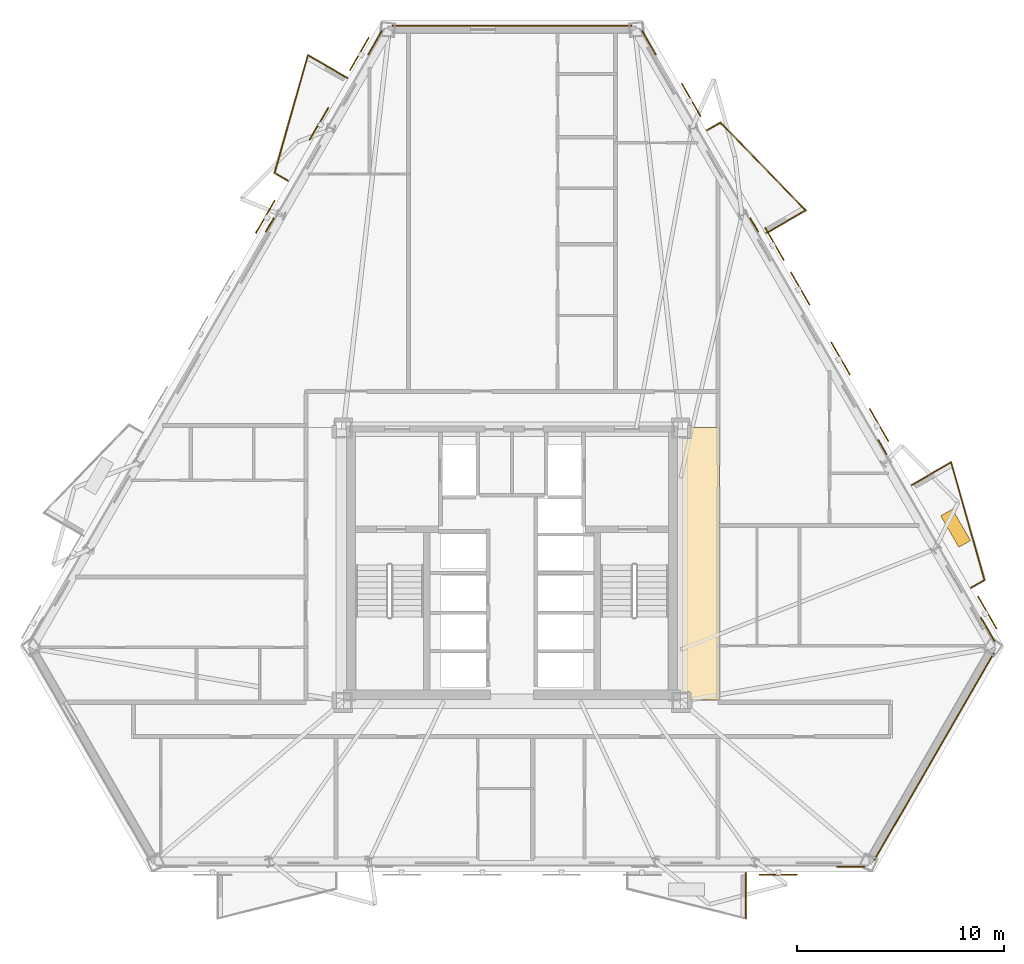
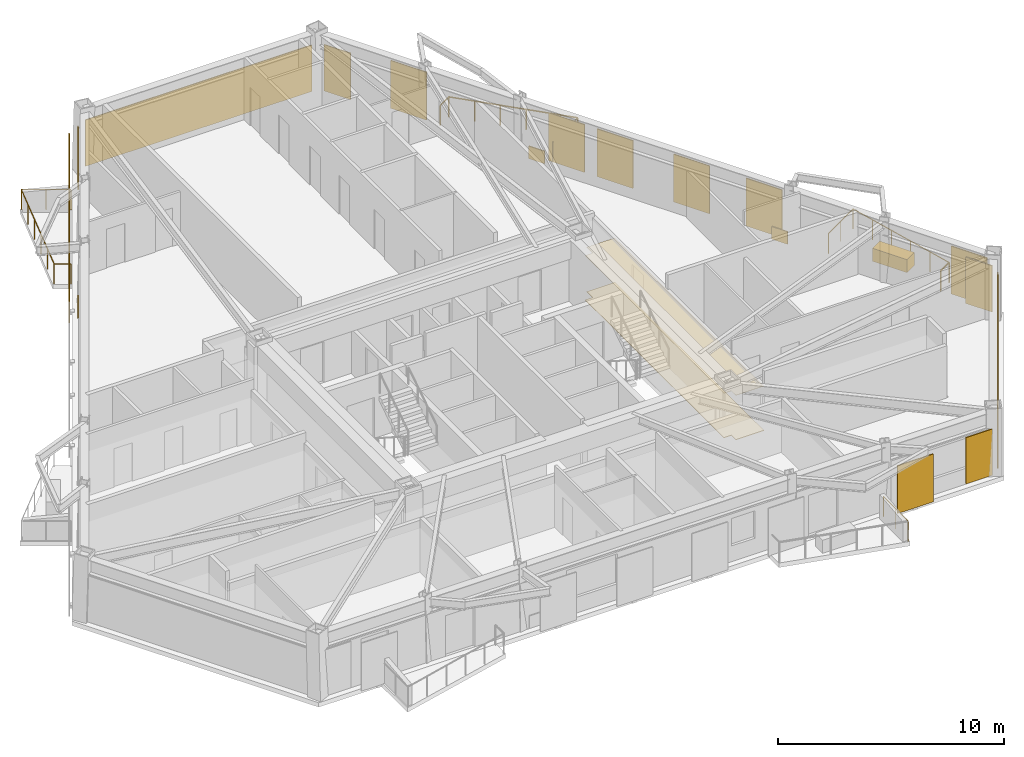
# One storey, part 10 of 10: 12 coverings, 10 railings, 10 shading devices.
"""IFC4 building model written with IfcOpenShell, lengths in metres."""

from ifc_helpers import new_model, si_unit, direction, frame, origin, origin_2d, place, context, subcontext, project, spatial, polyline, rectangle, circle, outline, extrude, material, layer, layer_set, type_object, element, save


model = new_model("IFC4")

# Units and contexts
model_context = context("Model", 3, precision=1e-05, world=origin(), true_north=direction((0.0, 1.0)))
body_context = subcontext(model_context, "Body", "Model", "MODEL_VIEW")
ifc_project = project(units=[si_unit("LENGTHUNIT", "METRE"), si_unit("AREAUNIT", "SQUARE_METRE"), si_unit("VOLUMEUNIT", "CUBIC_METRE"), si_unit("PLANEANGLEUNIT", "RADIAN"), si_unit("MASSUNIT", "GRAM", prefix="KILO")], contexts=[model_context])

# Site, building, storey
site_placement = place(None, origin())
site = spatial("IfcSite", under=ifc_project, at=site_placement, CompositionType="ELEMENT")
building_placement = place(site_placement, origin())
building = spatial("IfcBuilding", under=site, at=building_placement, Name="Oramaril Tower", CompositionType="ELEMENT")
storey_placement = place(building_placement, frame((0.0, 0.0, 96.89990234375)))
storey = spatial("IfcBuildingStorey", under=building, at=storey_placement, Name="L25", CompositionType="ELEMENT", Elevation=96.89990234375)

# Coverings
ifc_material_1 = material(Name="Mineral Fibre Acoustic Ceiling")
ifc_layer_1 = layer(ifc_material_1, 0.02001953125)
ifc_layer_set_1 = layer_set([ifc_layer_1], Name="CVT-CEIL")
covering_type_1 = type_object("IfcCoveringType", Name="CVT-CEIL", PredefinedType="CEILING", material=ifc_layer_set_1)
covering_1_placement = place(storey_placement, frame((0.0, 0.0, 2.400146484375)))
element("IfcCovering", 1, at=covering_1_placement, inside=storey, type_object=covering_type_1, Name="L25 Acoustic Suspended Ceiling 4", PredefinedType="CEILING", context=body_context, shape_type="SweptSolid", body=[
    extrude(outline(polyline([(47.530029296875, 11.050048828125), (46.094970703125, 11.050048828125), (46.094970703125, 11.445068359375), (45.719970703125, 11.445068359375), (45.719970703125, 23.705078125), (46.094970703125, 23.705078125), (46.094970703125, 24.219970703125), (47.530029296875, 24.219970703125), (47.530029296875, 11.050048828125)])), origin(), (0.0, 0.0, 1.0), 0.02001953125),
])
ifc_material_2 = material(Name="Warm Cream Limestone", Category="masonry")
ifc_layer_2 = layer(ifc_material_2, 0.050048828125)
ifc_layer_set_2 = layer_set([ifc_layer_2], Name="CVT-CLD")
covering_type_2 = type_object("IfcCoveringType", Name="CVT-CLD", PredefinedType="CLADDING", material=ifc_layer_set_2)
covering_2_placement = place(storey_placement, frame((53.868408203125, 3.005615234375, 0.0400390625), z_axis=(0.0, 0.0, 1.0), x_axis=(1.0, 0.0, 0.0)))
element("IfcCovering", 2, at=covering_2_placement, inside=storey, type_object=covering_type_2, Name="L25 Warm Cream Limestone Cladding", PredefinedType="CLADDING", context=body_context, shape_type="SweptSolid", body=[
    extrude(rectangle(XDim=1.35009765625, YDim=0.050048828125, at=origin_2d()), origin(), (0.0, 0.0, 1.0), 2.498046875),
])
covering_3_placement = place(storey_placement, frame((57.8994140625, 8.322509765625, 0.0400390625), z_axis=(0.0, 0.0, 1.0), x_axis=(0.499992442484, 0.866029767075, 0.0)))
element("IfcCovering", 3, at=covering_3_placement, inside=storey, type_object=covering_type_2, Name="L25 Warm Cream Limestone Cladding", PredefinedType="CLADDING", context=body_context, shape_type="SweptSolid", body=[
    extrude(rectangle(XDim=11.5556640625, YDim=0.050048828125, at=origin_2d()), origin(), (0.0, 0.0, 1.0), 2.498046875),
])
for number, where, z_axis, x_axis, name in (
    (4, (60.48828125, 14.4716796875, 0.0400390625), (0.0, 0.0, 1.0), (-0.5, 0.866025403784, 0.0), "L25 Warm Cream Limestone Cladding"),
    (5, (44.119873046875, 42.82275390625, 0.0400390625), (0.0, 0.0, 1.0), (-0.5, 0.866025403784, 0.0), "L25 Warm Cream Limestone Cladding"),
):
    element("IfcCovering", number, at=place(storey_placement, frame(where, z_axis=z_axis, x_axis=x_axis)), inside=storey, type_object=covering_type_2, Name=name, PredefinedType="CLADDING", context=body_context, shape_type="SweptSolid", body=[
        extrude(rectangle(XDim=1.35009765625, YDim=0.050048828125, at=origin_2d()), origin(), (0.0, 0.0, 1.0), 2.498046875),
    ])
for number, where, z_axis, x_axis, name in (
    (6, (55.403564453125, 23.279052734375, 0.0400390625), (0.0, 0.0, 1.0), (-0.5, 0.866025403784, 0.0), "L25 Warm Cream Limestone Spandrel Cladding"),
    (7, (49.204833984375, 34.015380859375, 0.0400390625), (0.0, 0.0, 1.0), (-0.5, 0.866025403784, 0.0), "L25 Warm Cream Limestone Spandrel Cladding"),
):
    element("IfcCovering", number, at=place(storey_placement, frame(where, z_axis=z_axis, x_axis=x_axis)), inside=storey, type_object=covering_type_2, Name=name, PredefinedType="CLADDING", context=body_context, shape_type="SweptSolid", body=[
        extrude(rectangle(XDim=0.800048828125, YDim=0.050048828125, at=origin_2d()), origin(), (0.0, 0.0, 1.0), 0.679931640625),
    ])
covering_4_placement = place(storey_placement, frame((37.5, 43.6552734375, 0.0400390625), z_axis=(0.0, 0.0, 1.0), x_axis=(-1.0, 0.0, 0.0)))
element("IfcCovering", 8, at=covering_4_placement, inside=storey, type_object=covering_type_2, Name="L25 Warm Cream Limestone Cladding", PredefinedType="CLADDING", context=body_context, shape_type="SweptSolid", body=[
    extrude(rectangle(XDim=11.5556640625, YDim=0.050048828125, at=origin_2d()), origin(), (0.0, 0.0, 1.0), 2.498046875),
])
covering_5_placement = place(storey_placement, frame((30.880126953125, 42.82275390625, 0.0400390625), z_axis=(0.0, 0.0, 1.0), x_axis=(-0.5, -0.866025403784, 0.0)))
element("IfcCovering", 9, at=covering_5_placement, inside=storey, type_object=covering_type_2, Name="L25 Warm Cream Limestone Cladding", PredefinedType="CLADDING", context=body_context, shape_type="SweptSolid", body=[
    extrude(rectangle(XDim=1.35009765625, YDim=0.050048828125, at=origin_2d()), origin(), (0.0, 0.0, 1.0), 2.498046875),
])
covering_6_placement = place(storey_placement, frame((25.795166015625, 34.015380859375, 0.0400390625), z_axis=(0.0, 0.0, 1.0), x_axis=(-0.5, -0.866025403784, 0.0)))
element("IfcCovering", 10, at=covering_6_placement, inside=storey, type_object=covering_type_2, Name="L25 Warm Cream Limestone Spandrel Cladding", PredefinedType="CLADDING", context=body_context, shape_type="SweptSolid", body=[
    extrude(rectangle(XDim=0.800048828125, YDim=0.050048828125, at=origin_2d()), origin(), (0.0, 0.0, 1.0), 0.679931640625),
])
covering_7_placement = place(storey_placement, frame((58.939453125, 19.36181640625, 0.0), z_axis=(0.0, 0.0, 1.0), x_axis=(-0.5, 0.866025403784, 0.0)))
element("IfcCovering", 11, at=covering_7_placement, inside=storey, type_object=covering_type_2, Name="L25 Structural Tree Planter Box L25-BAL-NE1", PredefinedType="CLADDING", context=body_context, shape_type="SweptSolid", body=[
    extrude(rectangle(XDim=1.75, YDim=0.64990234375, at=origin_2d()), origin(), (0.0, 0.0, 1.0), 0.699951171875),
])
ifc_material_3 = material(Name="Honed Quartzite Stone Flooring", Category="masonry")
ifc_layer_3 = layer(ifc_material_3, 0.02490234375)
ifc_layer_set_3 = layer_set([ifc_layer_3], Name="CVT-FLR")
covering_type_3 = type_object("IfcCoveringType", Name="CVT-FLR", PredefinedType="FLOORING", material=ifc_layer_set_3)
covering_8_placement = place(storey_placement, origin())
element("IfcCovering", 12, at=covering_8_placement, inside=storey, type_object=covering_type_3, Name="L25 Honed Stone Floor Finish 4", PredefinedType="FLOORING", context=body_context, shape_type="SweptSolid", body=[
    extrude(outline(polyline([(47.530029296875, 11.050048828125), (46.094970703125, 11.050048828125), (46.094970703125, 11.445068359375), (45.719970703125, 11.445068359375), (45.719970703125, 23.705078125), (46.094970703125, 23.705078125), (46.094970703125, 24.219970703125), (47.530029296875, 24.219970703125), (47.530029296875, 11.050048828125)])), origin(), (0.0, 0.0, 1.0), 0.025146484375),
])

# Railings
ifc_material_4 = material(Name="Stainless Steel 316L", Category="steel")
railing_type = type_object("IfcRailingType", Name="RLT-GRD", PredefinedType="GUARDRAIL", material=ifc_material_4)
railing_1_placement = place(storey_placement, frame((48.799072265625, 2.690673828125, 0.0)))
element("IfcRailing", 13, at=railing_1_placement, inside=storey, type_object=railing_type, Name="L25 Balcony Guardrail L25-BAL-S2.1", PredefinedType="GUARDRAIL", context=body_context, shape_type="SweptSolid", body=[
    extrude(circle(Radius=0.02392578125, at=origin_2d()), frame((0.0, 0.0, 1.076171875), z_axis=(0.0, -1.0, 0.0), x_axis=(1.0, 0.0, 0.0)), (0.0, 0.0, 1.0), 2.192138671875),
    extrude(circle(Radius=0.02099609375, at=origin_2d()), origin(), (0.0, 0.0, 1.0), 1.052001953125),
    extrude(circle(Radius=0.02099609375, at=origin_2d()), frame((0.0, -1.09619140625, 0.0)), (0.0, 0.0, 1.0), 1.052001953125),
    extrude(circle(Radius=0.02099609375, at=origin_2d()), frame((0.0, -2.192138671875, 0.0)), (0.0, 0.0, 1.0), 1.052001953125),
])
railing_2_placement = place(storey_placement, frame((56.823974609375, 21.448486328125, 0.0)))
element("IfcRailing", 14, at=railing_2_placement, inside=storey, type_object=railing_type, Name="L25 Balcony Guardrail L25-BAL-NE1.1", PredefinedType="GUARDRAIL", context=body_context, shape_type="SweptSolid", body=[
    extrude(circle(Radius=0.02392578125, at=origin_2d()), frame((0.0, 0.0, 1.076171875), z_axis=(0.866000118559, 0.500043792738, 0.0), x_axis=(-0.500043792738, 0.866000118559, 0.0)), (0.0, 0.0, 1.0), 2.192138671875),
    extrude(circle(Radius=0.02099609375, at=origin_2d()), origin(), (0.0, 0.0, 1.0), 1.052001953125),
    extrude(circle(Radius=0.02099609375, at=origin_2d()), frame((0.94921875, 0.548095703125, 0.0)), (0.0, 0.0, 1.0), 1.052001953125),
    extrude(circle(Radius=0.02099609375, at=origin_2d()), frame((1.8984375, 1.09619140625, 0.0)), (0.0, 0.0, 1.0), 1.052001953125),
])
railing_3_placement = place(storey_placement, frame((58.722412109375, 22.544677734375, 0.0)))
element("IfcRailing", 15, at=railing_3_placement, inside=storey, type_object=railing_type, Name="L25 Balcony Guardrail L25-BAL-NE1.2", PredefinedType="GUARDRAIL", context=body_context, shape_type="SweptSolid", body=[
    extrude(circle(Radius=0.02392578125, at=origin_2d()), frame((0.0, 0.0, 1.076171875), z_axis=(0.27224886544, -0.962226873074, 0.0), x_axis=(0.962226873074, 0.27224886544, 0.0)), (0.0, 0.0, 1.0), 5.910400390625),
    extrude(circle(Radius=0.02099609375, at=origin_2d()), origin(), (0.0, 0.0, 1.0), 1.052001953125),
    extrude(circle(Radius=0.02099609375, at=origin_2d()), frame((0.32177734375, -1.137451171875, 0.0)), (0.0, 0.0, 1.0), 1.052001953125),
    extrude(circle(Radius=0.02099609375, at=origin_2d()), frame((0.6435546875, -2.27490234375, 0.0)), (0.0, 0.0, 1.0), 1.052001953125),
    extrude(circle(Radius=0.02099609375, at=origin_2d()), frame((0.965576171875, -3.412353515625, 0.0)), (0.0, 0.0, 1.0), 1.052001953125),
    extrude(circle(Radius=0.02099609375, at=origin_2d()), frame((1.287353515625, -4.5498046875, 0.0)), (0.0, 0.0, 1.0), 1.052001953125),
    extrude(circle(Radius=0.02099609375, at=origin_2d()), frame((1.609130859375, -5.687255859375, 0.0)), (0.0, 0.0, 1.0), 1.052001953125),
])
railing_4_placement = place(storey_placement, frame((60.33154296875, 16.857421875, 0.0)))
element("IfcRailing", 16, at=railing_4_placement, inside=storey, type_object=railing_type, Name="L25 Balcony Guardrail L25-BAL-NE1.3", PredefinedType="GUARDRAIL", context=body_context, shape_type="SweptSolid", body=[
    extrude(circle(Radius=0.02392578125, at=origin_2d()), frame((0.0, 0.0, 1.076171875), z_axis=(-0.865966403178, -0.500102178127, 0.0), x_axis=(0.500102178127, -0.865966403178, 0.0)), (0.0, 0.0, 1.0), 0.741943359375),
    extrude(circle(Radius=0.02099609375, at=origin_2d()), origin(), (0.0, 0.0, 1.0), 1.052001953125),
    extrude(circle(Radius=0.02099609375, at=origin_2d()), frame((-0.642578125, -0.37109375, 0.0)), (0.0, 0.0, 1.0), 1.052001953125),
])
railing_5_placement = place(storey_placement, frame((46.927490234375, 38.58984375, 0.0)))
element("IfcRailing", 17, at=railing_5_placement, inside=storey, type_object=railing_type, Name="L25 Balcony Guardrail L25-BAL-NE2.1", PredefinedType="GUARDRAIL", context=body_context, shape_type="SweptSolid", body=[
    extrude(circle(Radius=0.02392578125, at=origin_2d()), frame((0.0, 0.0, 1.076171875), z_axis=(0.865966403178, 0.500102178127, 0.0), x_axis=(-0.500102178127, 0.865966403178, 0.0)), (0.0, 0.0, 1.0), 0.741943359375),
    extrude(circle(Radius=0.02099609375, at=origin_2d()), origin(), (0.0, 0.0, 1.0), 1.052001953125),
    extrude(circle(Radius=0.02099609375, at=origin_2d()), frame((0.642578125, 0.37109375, 0.0)), (0.0, 0.0, 1.0), 1.052001953125),
])
railing_6_placement = place(storey_placement, frame((47.570068359375, 38.9609375, 0.0)))
element("IfcRailing", 18, at=railing_6_placement, inside=storey, type_object=railing_type, Name="L25 Balcony Guardrail L25-BAL-NE2.2", PredefinedType="GUARDRAIL", context=body_context, shape_type="SweptSolid", body=[
    extrude(circle(Radius=0.02392578125, at=origin_2d()), frame((0.0, 0.0, 1.076171875), z_axis=(0.697186915353, -0.716889395277, 0.0), x_axis=(0.716889395277, 0.697186915353, 0.0)), (0.0, 0.0, 1.0), 5.91064453125),
    extrude(circle(Radius=0.02099609375, at=origin_2d()), origin(), (0.0, 0.0, 1.0), 1.052001953125),
    extrude(circle(Radius=0.02099609375, at=origin_2d()), frame((0.82421875, -0.847412109375, 0.0)), (0.0, 0.0, 1.0), 1.052001953125),
    extrude(circle(Radius=0.02099609375, at=origin_2d()), frame((1.6484375, -1.69482421875, 0.0)), (0.0, 0.0, 1.0), 1.052001953125),
    extrude(circle(Radius=0.02099609375, at=origin_2d()), frame((2.472412109375, -2.54248046875, 0.0)), (0.0, 0.0, 1.0), 1.052001953125),
    extrude(circle(Radius=0.02099609375, at=origin_2d()), frame((3.296630859375, -3.389892578125, 0.0)), (0.0, 0.0, 1.0), 1.052001953125),
    extrude(circle(Radius=0.02099609375, at=origin_2d()), frame((4.120849609375, -4.2373046875, 0.0)), (0.0, 0.0, 1.0), 1.052001953125),
])
railing_7_placement = place(storey_placement, frame((51.69091796875, 34.7236328125, 0.0)))
element("IfcRailing", 19, at=railing_7_placement, inside=storey, type_object=railing_type, Name="L25 Balcony Guardrail L25-BAL-NE2.3", PredefinedType="GUARDRAIL", context=body_context, shape_type="SweptSolid", body=[
    extrude(circle(Radius=0.02392578125, at=origin_2d()), frame((0.0, 0.0, 1.076171875), z_axis=(-0.866048343933, -0.499960264392, 0.0), x_axis=(0.499960264392, -0.866048343933, 0.0)), (0.0, 0.0, 1.0), 2.192138671875),
    extrude(circle(Radius=0.02099609375, at=origin_2d()), origin(), (0.0, 0.0, 1.0), 1.052001953125),
    extrude(circle(Radius=0.02099609375, at=origin_2d()), frame((-0.94921875, -0.5478515625, 0.0)), (0.0, 0.0, 1.0), 1.052001953125),
    extrude(circle(Radius=0.02099609375, at=origin_2d()), frame((-1.8984375, -1.095947265625, 0.0)), (0.0, 0.0, 1.0), 1.052001953125),
])
railing_8_placement = place(storey_placement, frame((26.669921875, 36.160888671875, 0.0)))
element("IfcRailing", 20, at=railing_8_placement, inside=storey, type_object=railing_type, Name="L25 Balcony Guardrail L25-BAL-NW1.1", PredefinedType="GUARDRAIL", context=body_context, shape_type="SweptSolid", body=[
    extrude(circle(Radius=0.02392578125, at=origin_2d()), frame((0.0, 0.0, 1.076171875), z_axis=(-0.866026623601, 0.49999788721, 0.0), x_axis=(-0.49999788721, -0.866026623601, 0.0)), (0.0, 0.0, 1.0), 0.74169921875),
    extrude(circle(Radius=0.02099609375, at=origin_2d()), origin(), (0.0, 0.0, 1.0), 1.052001953125),
    extrude(circle(Radius=0.02099609375, at=origin_2d()), frame((-0.642333984375, 0.370849609375, 0.0)), (0.0, 0.0, 1.0), 1.052001953125),
])
railing_9_placement = place(storey_placement, frame((26.027587890625, 36.53173828125, 0.0)))
element("IfcRailing", 21, at=railing_9_placement, inside=storey, type_object=railing_type, Name="L25 Balcony Guardrail L25-BAL-NW1.2", PredefinedType="GUARDRAIL", context=body_context, shape_type="SweptSolid", body=[
    extrude(circle(Radius=0.02392578125, at=origin_2d()), frame((0.0, 0.0, 1.076171875), z_axis=(0.27224886544, 0.962226873074, 0.0), x_axis=(-0.962226873074, 0.27224886544, 0.0)), (0.0, 0.0, 1.0), 5.910400390625),
    extrude(circle(Radius=0.02099609375, at=origin_2d()), origin(), (0.0, 0.0, 1.0), 1.052001953125),
    extrude(circle(Radius=0.02099609375, at=origin_2d()), frame((0.32177734375, 1.137451171875, 0.0)), (0.0, 0.0, 1.0), 1.052001953125),
    extrude(circle(Radius=0.02099609375, at=origin_2d()), frame((0.6435546875, 2.27490234375, 0.0)), (0.0, 0.0, 1.0), 1.052001953125),
    extrude(circle(Radius=0.02099609375, at=origin_2d()), frame((0.965576171875, 3.412353515625, 0.0)), (0.0, 0.0, 1.0), 1.052001953125),
    extrude(circle(Radius=0.02099609375, at=origin_2d()), frame((1.287353515625, 4.5498046875, 0.0)), (0.0, 0.0, 1.0), 1.052001953125),
    extrude(circle(Radius=0.02099609375, at=origin_2d()), frame((1.609130859375, 5.687255859375, 0.0)), (0.0, 0.0, 1.0), 1.052001953125),
])
railing_10_placement = place(storey_placement, frame((27.63671875, 42.218994140625, 0.0)))
element("IfcRailing", 22, at=railing_10_placement, inside=storey, type_object=railing_type, Name="L25 Balcony Guardrail L25-BAL-NW1.3", PredefinedType="GUARDRAIL", context=body_context, shape_type="SweptSolid", body=[
    extrude(circle(Radius=0.02392578125, at=origin_2d()), frame((0.0, 0.0, 1.076171875), z_axis=(0.866020500697, -0.5000084923, 0.0), x_axis=(0.5000084923, 0.866020500697, 0.0)), (0.0, 0.0, 1.0), 2.19189453125),
    extrude(circle(Radius=0.02099609375, at=origin_2d()), origin(), (0.0, 0.0, 1.0), 1.052001953125),
    extrude(circle(Radius=0.02099609375, at=origin_2d()), frame((0.94921875, -0.5478515625, 0.0)), (0.0, 0.0, 1.0), 1.052001953125),
    extrude(circle(Radius=0.02099609375, at=origin_2d()), frame((1.898193359375, -1.095947265625, 0.0)), (0.0, 0.0, 1.0), 1.052001953125),
])

# Shading devices
for number, where, z_axis, x_axis, name in (
    (23, (50.375732421875, 2.61865234375, -0.02001953125), (0.0, 0.0, 1.0), (1.0, 0.0, 0.0), "L25 Perforated Ceramic Solar Screen"),
    (24, (60.465576171875, 15.285400390625, -0.02001953125), (0.0, 0.0, 1.0), (-0.5, 0.866025403784, 0.0), "L25 Perforated Ceramic Solar Screen"),
    (25, (53.377197265625, 27.5625, -0.02001953125), (0.0, 0.0, 1.0), (-0.5, 0.866025403784, 0.0), "L25 Perforated Ceramic Solar Screen"),
    (26, (51.42724609375, 30.940185546875, -0.02001953125), (0.0, 0.0, 1.0), (-0.5, 0.866025403784, 0.0), "L25 Perforated Ceramic Solar Screen"),
    (27, (50.1865234375, 33.089111328125, -0.02001953125), (0.0, 0.0, 1.0), (-0.5, 0.866025403784, 0.0), "L25 Perforated Ceramic Solar Screen"),
    (28, (55.23486328125, 24.34521484375, -0.02001953125), (0.0, 0.0, 1.0), (-0.5, 0.866025403784, 0.0), "L25 Perforated Ceramic Solar Screen"),
    (29, (46.161376953125, 40.060791015625, -0.02001953125), (0.0, 0.0, 1.0), (-0.5, 0.866025403784, 0.0), "L25 Perforated Ceramic Solar Screen"),
    (30, (25.576416015625, 34.410400390625, -0.02001953125), (0.0, 0.0, 1.0), (-0.5, -0.866025403784, 0.0), "L25 Perforated Ceramic Solar Screen"),
    (31, (30.123046875, 42.285400390625, -0.02001953125), (0.0, 0.0, 1.0), (-0.5, -0.866025403784, 0.0), "L25 Perforated Ceramic Solar Screen"),
    (32, (28.173095703125, 38.907958984375, -0.02001953125), (0.0, 0.0, 1.0), (-0.5, -0.866025403784, 0.0), "L25 Perforated Ceramic Solar Screen"),
):
    element("IfcShadingDevice", number, at=place(storey_placement, frame(where, z_axis=z_axis, x_axis=x_axis)), inside=storey, Name=name, ObjectType="SCREEN", PredefinedType="USERDEFINED", context=body_context, shape_type="SweptSolid", body=[
        extrude(rectangle(XDim=1.8330078125, YDim=0.050048828125, at=origin_2d()), origin(), (0.0, 0.0, 1.0), 2.577880859375),
    ])

save(model, "model.ifc")
